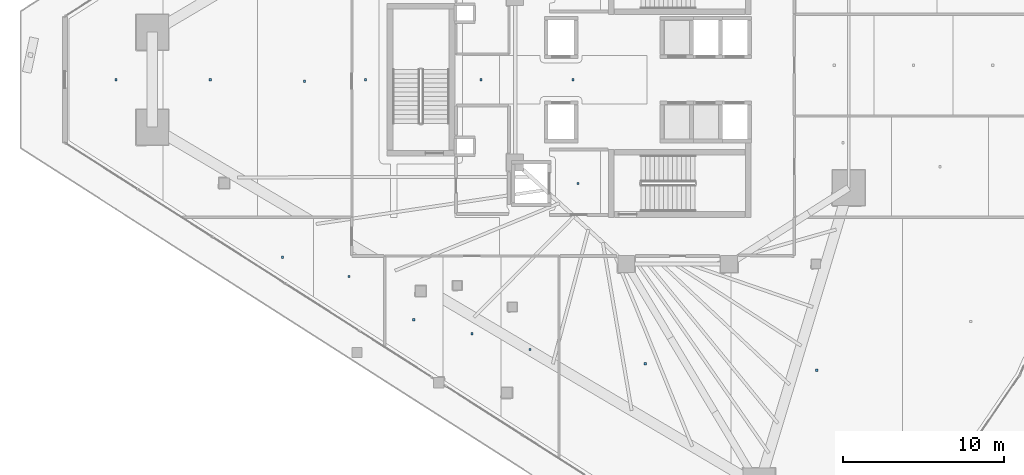
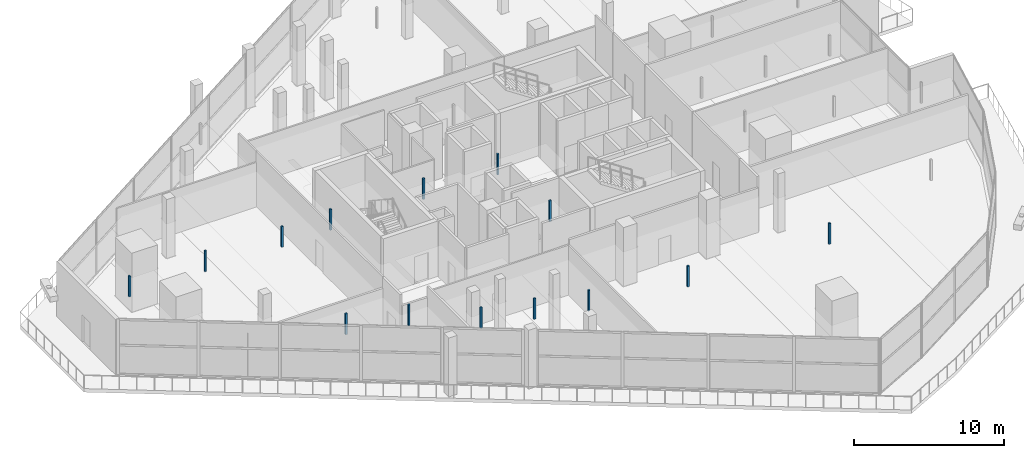
# One storey, part 29 of 42: 14 discrete accessories.
"""IFC4 building model written with IfcOpenShell, lengths in metres."""

from ifc_helpers import new_model, si_unit, direction, frame, origin, origin_2d, place, context, subcontext, project, spatial, rectangle, extrude, material, type_object, element, save


model = new_model("IFC4")

# Units and contexts
model_context = context("Model", 3, precision=1e-05, world=origin(), true_north=direction((0.0, 1.0)))
body_context = subcontext(model_context, "Body", "Model", "MODEL_VIEW")
ifc_project = project(units=[si_unit("LENGTHUNIT", "METRE"), si_unit("AREAUNIT", "SQUARE_METRE"), si_unit("VOLUMEUNIT", "CUBIC_METRE"), si_unit("PLANEANGLEUNIT", "RADIAN"), si_unit("MASSUNIT", "GRAM", prefix="KILO")], contexts=[model_context])

# Site, building, storey
site_placement = place(None, origin())
site = spatial("IfcSite", under=ifc_project, at=site_placement, CompositionType="ELEMENT")
building_placement = place(site_placement, origin())
building = spatial("IfcBuilding", under=site, at=building_placement, Name="Qorvath Tower", CompositionType="ELEMENT")
storey_placement = place(building_placement, frame((0.0, 0.0, 105.0)))
storey = spatial("IfcBuildingStorey", under=building, at=storey_placement, Name="L23", CompositionType="ELEMENT", Elevation=105.0)

# Discrete accessories
ifc_material = material(Name="Galvanised steel bracket", Category="steel")
discrete_accessory_type = type_object("IfcDiscreteAccessoryType", Name="DA-BRACKET", PredefinedType="BRACKET", material=ifc_material)
for number, where, z_axis, x_axis, name in (
    (1, (-26.590087890625, -6.449951171875, 2.860107421875), (0.0, 0.0, 1.0), (1.0, 0.0, 0.0), "Acoustic Ceiling Suspension Hanger T1-L23-002"),
    (2, (-39.797607421875, 0.0, 2.860107421875), (0.0, 0.0, 1.0), (1.0, 0.0, 0.0), "Acoustic Ceiling Suspension Hanger T1-L23-005"),
    (3, (-32.620849609375, 0.0, 2.860107421875), (0.0, 0.0, 1.0), (1.0, 0.0, 0.0), "Acoustic Ceiling Suspension Hanger T1-L23-006"),
    (4, (-26.89990234375, 0.0, 2.860107421875), (0.0, 0.0, 1.0), (1.0, 0.0, 0.0), "Acoustic Ceiling Suspension Hanger T1-L23-007"),
    (5, (-44.95947265625, -11.030029296875, 2.860107421875), (0.0, 0.0, 1.0), (1.0, 0.0, 0.0), "Acoustic Ceiling Suspension Hanger T1-L23-014"),
    (6, (-40.82275390625, -12.234130859375, 2.860107421875), (0.0, 0.0, 1.0), (1.0, 0.0, 0.0), "Acoustic Ceiling Suspension Hanger T1-L23-015"),
    (7, (-36.798095703125, -14.925048828125, 2.860107421875), (0.0, 0.0, 1.0), (1.0, 0.0, 0.0), "Acoustic Ceiling Suspension Hanger T1-L23-016"),
    (8, (-33.18603515625, -15.79248046875, 2.860107421875), (0.0, 0.0, 1.0), (1.0, 0.0, 0.0), "Acoustic Ceiling Suspension Hanger T1-L23-017"),
    (9, (-29.573974609375, -16.776123046875, 2.860107421875), (0.0, 0.0, 1.0), (1.0, 0.0, 0.0), "Acoustic Ceiling Suspension Hanger T1-L23-018"),
    (10, (-22.420166015625, -17.65087890625, 2.860107421875), (0.0, 0.0, 1.0), (1.0, 0.0, 0.0), "Acoustic Ceiling Suspension Hanger T1-L23-019"),
    (11, (-11.760498046875, -18.064208984375, 2.860107421875), (0.0, 0.0, 1.0), (1.0, 0.0, 0.0), "Acoustic Ceiling Suspension Hanger T1-L23-020"),
    (12, (-55.307861328125, -0.0087890625, 2.860107421875), (0.0, 0.0, 1.0), (1.0, 0.0, 0.0), "Acoustic Ceiling Suspension Hanger T1-L23-030"),
    (13, (-49.449951171875, -0.001708984375, 2.860107421875), (0.0, 0.0, 1.0), (1.0, 0.0, 0.0), "Acoustic Ceiling Suspension Hanger T1-L23-031"),
    (14, (-43.592041015625, -0.10009765625, 2.860107421875), (0.0, 0.0, 1.0), (1.0, 0.0, 0.0), "Acoustic Ceiling Suspension Hanger T1-L23-032"),
):
    element("IfcDiscreteAccessory", number, at=place(storey_placement, frame(where, z_axis=z_axis, x_axis=x_axis)), inside=storey, type_object=discrete_accessory_type, Name=name, PredefinedType="NOTDEFINED", context=body_context, shape_type="SweptSolid", body=[
        extrude(rectangle(XDim=0.139892578125, YDim=0.139892578125, at=origin_2d()), origin(), (0.0, 0.0, 1.0), 1.68994140625),
    ])

save(model, "model.ifc")
